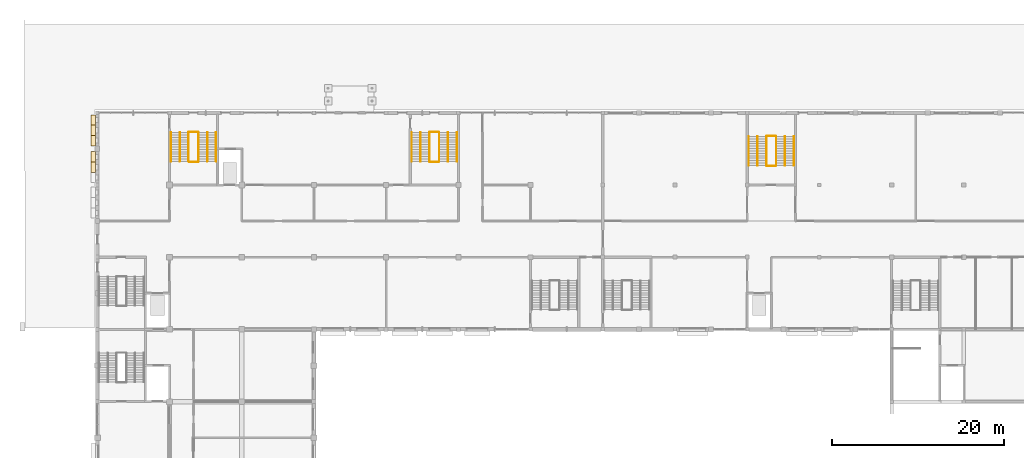
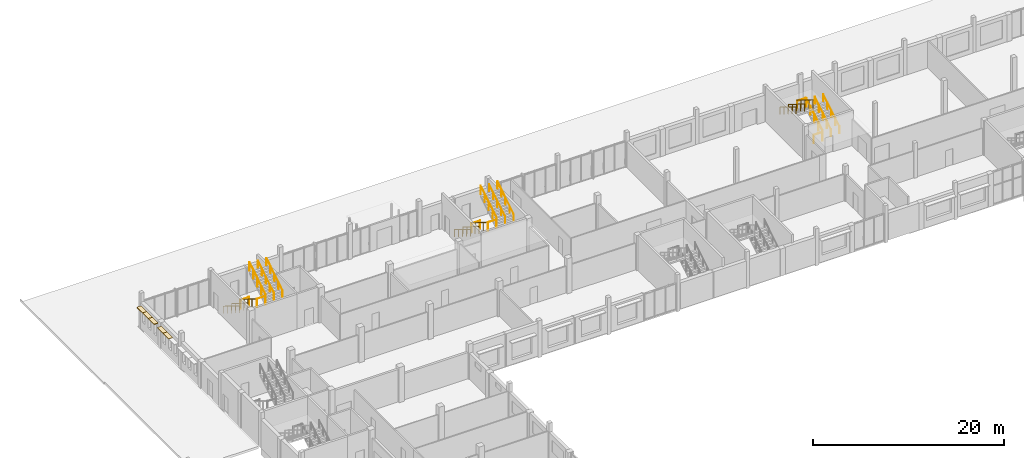
# One storey, part 99 of 101: 24 railings, 5 coverings.
"""IFC4 building model written with IfcOpenShell, lengths in metres."""

from ifc_helpers import new_model, si_unit, direction, frame, origin, origin_2d, place, context, subcontext, project, spatial, rectangle, circle, extrude, material, layer, layer_set, type_object, element, save


model = new_model("IFC4")

# Units and contexts
model_context = context("Model", 3, precision=1e-05, world=origin(), true_north=direction((0.0, 1.0)))
body_context = subcontext(model_context, "Body", "Model", "MODEL_VIEW")
ifc_project = project(units=[si_unit("LENGTHUNIT", "METRE"), si_unit("AREAUNIT", "SQUARE_METRE"), si_unit("VOLUMEUNIT", "CUBIC_METRE"), si_unit("PLANEANGLEUNIT", "RADIAN"), si_unit("MASSUNIT", "GRAM", prefix="KILO")], contexts=[model_context])

# Site, building, storey
site_placement = place(None, origin())
site = spatial("IfcSite", under=ifc_project, at=site_placement, CompositionType="ELEMENT")
building_placement = place(site_placement, origin())
building = spatial("IfcBuilding", under=site, at=building_placement, Name="Fescue Hill Polytechnic", CompositionType="ELEMENT")
storey_placement = place(building_placement, frame((0.0, 0.0, 9.0)))
storey = spatial("IfcBuildingStorey", under=building, at=storey_placement, Name="L02", CompositionType="ELEMENT", Elevation=9.0)

# Coverings
ifc_material_1 = material(Name="Precast concrete C40/50", Category="concrete")
ifc_layer = layer(ifc_material_1, 0.080078125)
ifc_layer_set = layer_set([ifc_layer], Name="Precast concrete C40/50")
covering_type = type_object("IfcCoveringType", Name="Shade blade precast 500x80", PredefinedType="CLADDING", material=ifc_layer_set)
for number, where, z_axis, x_axis, name in (
    (1, (-0.4599609375, 133.556396484375, 2.849853515625), (0.0, 0.0, 1.0), (0.0, -1.0, 0.0), "SB-L02-V5-1"),
    (2, (-0.4599609375, 132.356201171875, 2.849853515625), (0.0, 0.0, 1.0), (0.0, -1.0, 0.0), "SB-L02-V5-2"),
    (3, (-0.4599609375, 131.15625, 2.849853515625), (0.0, 0.0, 1.0), (0.0, -1.0, 0.0), "SB-L02-V5-3"),
    (4, (-0.4599609375, 129.268798828125, 2.849853515625), (0.0, 0.0, 1.0), (0.0, -1.0, 0.0), "SB-L02-V5-4"),
    (5, (-0.4599609375, 128.068603515625, 2.849853515625), (0.0, 0.0, 1.0), (0.0, -1.0, 0.0), "SB-L02-V5-5"),
):
    element("IfcCovering", number, at=place(storey_placement, frame(where, z_axis=z_axis, x_axis=x_axis)), inside=storey, type_object=covering_type, Name=name, PredefinedType="CLADDING", context=body_context, shape_type="SweptSolid", body=[
        extrude(rectangle(XDim=1.199951171875, YDim=0.5, at=origin_2d()), origin(), (0.0, 0.0, 1.0), 0.080078125),
    ])

# Railings
ifc_material_2 = material(Name="Steel 350W (350 MPa)", Category="steel")
railing_type_1 = type_object("IfcRailingType", Name="Stair guard steel 1100", PredefinedType="GUARDRAIL", material=ifc_material_2)
railing_1_placement = place(storey_placement, frame((38.625, 132.10009765625, 0.173095703125)))
element("IfcRailing", 6, at=railing_1_placement, inside=storey, type_object=railing_type_1, Name="L02 ST-V5-2 stair guard 1", PredefinedType="GUARDRAIL", context=body_context, shape_type="SweptSolid", body=[
    extrude(circle(Radius=0.02392578125, at=origin_2d()), frame((0.0, 0.0, 1.076171875), z_axis=(0.0, -0.850623216509, 0.525775754039), x_axis=(1.0, 0.0, 0.0)), (0.0, 0.0, 1.0), 3.9501953125),
    extrude(circle(Radius=0.02099609375, at=origin_2d()), origin(), (0.0, 0.0, 1.0), 1.052001953125),
    extrude(circle(Radius=0.02099609375, at=origin_2d()), frame((0.0, -0.840087890625, 0.519287109375)), (0.0, 0.0, 1.0), 1.052001953125),
    extrude(circle(Radius=0.02099609375, at=origin_2d()), frame((0.0, -1.68017578125, 1.03857421875)), (0.0, 0.0, 1.0), 1.052001953125),
    extrude(circle(Radius=0.02099609375, at=origin_2d()), frame((0.0, -2.52001953125, 1.5576171875)), (0.0, 0.0, 1.0), 1.052001953125),
    extrude(circle(Radius=0.02099609375, at=origin_2d()), frame((0.0, -3.360107421875, 2.076904296875)), (0.0, 0.0, 1.0), 1.052001953125),
])
railing_2_placement = place(storey_placement, frame((38.675048828125, 128.68994140625, 2.25)))
element("IfcRailing", 7, at=railing_2_placement, inside=storey, type_object=railing_type_1, Name="L02 ST-V5-2 stair guard 2", PredefinedType="GUARDRAIL", context=body_context, shape_type="SweptSolid", body=[
    extrude(circle(Radius=0.02392578125, at=origin_2d()), frame((0.0, 0.0, 1.076171875), z_axis=(1.0, 0.0, 0.0), x_axis=(0.0, 1.0, 0.0)), (0.0, 0.0, 1.0), 1.050048828125),
    extrude(circle(Radius=0.02099609375, at=origin_2d()), origin(), (0.0, 0.0, 1.0), 1.052001953125),
    extrude(circle(Radius=0.02099609375, at=origin_2d()), frame((1.050048828125, 0.0, 0.0)), (0.0, 0.0, 1.0), 1.052001953125),
])
railing_3_placement = place(storey_placement, frame((39.77490234375, 128.739990234375, 2.423095703125)))
element("IfcRailing", 8, at=railing_3_placement, inside=storey, type_object=railing_type_1, Name="L02 ST-V5-2 stair guard 3", PredefinedType="GUARDRAIL", context=body_context, shape_type="SweptSolid", body=[
    extrude(circle(Radius=0.02392578125, at=origin_2d()), frame((0.0, 0.0, 1.076171875), z_axis=(0.0, 0.850623216509, 0.525775754039), x_axis=(-1.0, 0.0, 0.0)), (0.0, 0.0, 1.0), 3.9501953125),
    extrude(circle(Radius=0.02099609375, at=origin_2d()), origin(), (0.0, 0.0, 1.0), 1.052001953125),
    extrude(circle(Radius=0.02099609375, at=origin_2d()), frame((0.0, 0.840087890625, 0.519287109375)), (0.0, 0.0, 1.0), 1.052001953125),
    extrude(circle(Radius=0.02099609375, at=origin_2d()), frame((0.0, 1.68017578125, 1.03857421875)), (0.0, 0.0, 1.0), 1.052001953125),
    extrude(circle(Radius=0.02099609375, at=origin_2d()), frame((0.0, 2.52001953125, 1.5576171875)), (0.0, 0.0, 1.0), 1.052001953125),
    extrude(circle(Radius=0.02099609375, at=origin_2d()), frame((0.0, 3.360107421875, 2.076904296875)), (0.0, 0.0, 1.0), 1.052001953125),
])
railing_4_placement = place(storey_placement, frame((38.675048828125, 132.14990234375, 0.0)))
element("IfcRailing", 9, at=railing_4_placement, inside=storey, type_object=railing_type_1, Name="L02 ST-V5-2 stair guard 4", PredefinedType="GUARDRAIL", context=body_context, shape_type="SweptSolid", body=[
    extrude(circle(Radius=0.02392578125, at=origin_2d()), frame((0.0, 0.0, 1.076171875), z_axis=(1.0, 0.0, 0.0), x_axis=(0.0, 1.0, 0.0)), (0.0, 0.0, 1.0), 1.050048828125),
    extrude(circle(Radius=0.02099609375, at=origin_2d()), origin(), (0.0, 0.0, 1.0), 1.052001953125),
    extrude(circle(Radius=0.02099609375, at=origin_2d()), frame((1.050048828125, 0.0, 0.0)), (0.0, 0.0, 1.0), 1.052001953125),
])
railing_5_placement = place(storey_placement, frame((10.625, 132.10009765625, 0.173095703125)))
element("IfcRailing", 10, at=railing_5_placement, inside=storey, type_object=railing_type_1, Name="L02 ST-V5-3 stair guard 1", PredefinedType="GUARDRAIL", context=body_context, shape_type="SweptSolid", body=[
    extrude(circle(Radius=0.02392578125, at=origin_2d()), frame((0.0, 0.0, 1.076171875), z_axis=(0.0, -0.850623216509, 0.525775754039), x_axis=(1.0, 0.0, 0.0)), (0.0, 0.0, 1.0), 3.9501953125),
    extrude(circle(Radius=0.02099609375, at=origin_2d()), origin(), (0.0, 0.0, 1.0), 1.052001953125),
    extrude(circle(Radius=0.02099609375, at=origin_2d()), frame((0.0, -0.840087890625, 0.519287109375)), (0.0, 0.0, 1.0), 1.052001953125),
    extrude(circle(Radius=0.02099609375, at=origin_2d()), frame((0.0, -1.68017578125, 1.03857421875)), (0.0, 0.0, 1.0), 1.052001953125),
    extrude(circle(Radius=0.02099609375, at=origin_2d()), frame((0.0, -2.52001953125, 1.5576171875)), (0.0, 0.0, 1.0), 1.052001953125),
    extrude(circle(Radius=0.02099609375, at=origin_2d()), frame((0.0, -3.360107421875, 2.076904296875)), (0.0, 0.0, 1.0), 1.052001953125),
])
railing_6_placement = place(storey_placement, frame((10.675048828125, 128.68994140625, 2.25)))
element("IfcRailing", 11, at=railing_6_placement, inside=storey, type_object=railing_type_1, Name="L02 ST-V5-3 stair guard 2", PredefinedType="GUARDRAIL", context=body_context, shape_type="SweptSolid", body=[
    extrude(circle(Radius=0.02392578125, at=origin_2d()), frame((0.0, 0.0, 1.076171875), z_axis=(1.0, 0.0, 0.0), x_axis=(0.0, 1.0, 0.0)), (0.0, 0.0, 1.0), 1.050048828125),
    extrude(circle(Radius=0.02099609375, at=origin_2d()), origin(), (0.0, 0.0, 1.0), 1.052001953125),
    extrude(circle(Radius=0.02099609375, at=origin_2d()), frame((1.050048828125, 0.0, 0.0)), (0.0, 0.0, 1.0), 1.052001953125),
])
railing_7_placement = place(storey_placement, frame((11.77490234375, 128.739990234375, 2.423095703125)))
element("IfcRailing", 12, at=railing_7_placement, inside=storey, type_object=railing_type_1, Name="L02 ST-V5-3 stair guard 3", PredefinedType="GUARDRAIL", context=body_context, shape_type="SweptSolid", body=[
    extrude(circle(Radius=0.02392578125, at=origin_2d()), frame((0.0, 0.0, 1.076171875), z_axis=(0.0, 0.850623216509, 0.525775754039), x_axis=(-1.0, 0.0, 0.0)), (0.0, 0.0, 1.0), 3.9501953125),
    extrude(circle(Radius=0.02099609375, at=origin_2d()), origin(), (0.0, 0.0, 1.0), 1.052001953125),
    extrude(circle(Radius=0.02099609375, at=origin_2d()), frame((0.0, 0.840087890625, 0.519287109375)), (0.0, 0.0, 1.0), 1.052001953125),
    extrude(circle(Radius=0.02099609375, at=origin_2d()), frame((0.0, 1.68017578125, 1.03857421875)), (0.0, 0.0, 1.0), 1.052001953125),
    extrude(circle(Radius=0.02099609375, at=origin_2d()), frame((0.0, 2.52001953125, 1.5576171875)), (0.0, 0.0, 1.0), 1.052001953125),
    extrude(circle(Radius=0.02099609375, at=origin_2d()), frame((0.0, 3.360107421875, 2.076904296875)), (0.0, 0.0, 1.0), 1.052001953125),
])
railing_8_placement = place(storey_placement, frame((10.675048828125, 132.14990234375, 0.0)))
element("IfcRailing", 13, at=railing_8_placement, inside=storey, type_object=railing_type_1, Name="L02 ST-V5-3 stair guard 4", PredefinedType="GUARDRAIL", context=body_context, shape_type="SweptSolid", body=[
    extrude(circle(Radius=0.02392578125, at=origin_2d()), frame((0.0, 0.0, 1.076171875), z_axis=(1.0, 0.0, 0.0), x_axis=(0.0, 1.0, 0.0)), (0.0, 0.0, 1.0), 1.050048828125),
    extrude(circle(Radius=0.02099609375, at=origin_2d()), origin(), (0.0, 0.0, 1.0), 1.052001953125),
    extrude(circle(Radius=0.02099609375, at=origin_2d()), frame((1.050048828125, 0.0, 0.0)), (0.0, 0.0, 1.0), 1.052001953125),
])
railing_9_placement = place(storey_placement, frame((78.97509765625, 128.27490234375, 0.173095703125)))
element("IfcRailing", 14, at=railing_9_placement, inside=storey, type_object=railing_type_1, Name="L02 ST-V4b-4 stair guard 1", PredefinedType="GUARDRAIL", context=body_context, shape_type="SweptSolid", body=[
    extrude(circle(Radius=0.02392578125, at=origin_2d()), frame((0.0, 0.0, 1.076171875), z_axis=(0.0, 0.850623216509, 0.525775754039), x_axis=(-1.0, 0.0, 0.0)), (0.0, 0.0, 1.0), 3.9501953125),
    extrude(circle(Radius=0.02099609375, at=origin_2d()), origin(), (0.0, 0.0, 1.0), 1.052001953125),
    extrude(circle(Radius=0.02099609375, at=origin_2d()), frame((0.0, 0.840087890625, 0.519287109375)), (0.0, 0.0, 1.0), 1.052001953125),
    extrude(circle(Radius=0.02099609375, at=origin_2d()), frame((0.0, 1.68017578125, 1.03857421875)), (0.0, 0.0, 1.0), 1.052001953125),
    extrude(circle(Radius=0.02099609375, at=origin_2d()), frame((0.0, 2.52001953125, 1.5576171875)), (0.0, 0.0, 1.0), 1.052001953125),
    extrude(circle(Radius=0.02099609375, at=origin_2d()), frame((0.0, 3.360107421875, 2.076904296875)), (0.0, 0.0, 1.0), 1.052001953125),
])
railing_10_placement = place(storey_placement, frame((78.925048828125, 131.68505859375, 2.25)))
element("IfcRailing", 15, at=railing_10_placement, inside=storey, type_object=railing_type_1, Name="L02 ST-V4b-4 stair guard 2", PredefinedType="GUARDRAIL", context=body_context, shape_type="SweptSolid", body=[
    extrude(circle(Radius=0.02392578125, at=origin_2d()), frame((0.0, 0.0, 1.076171875), z_axis=(-1.0, 0.0, 0.0), x_axis=(0.0, -1.0, 0.0)), (0.0, 0.0, 1.0), 1.050048828125),
    extrude(circle(Radius=0.02099609375, at=origin_2d()), origin(), (0.0, 0.0, 1.0), 1.052001953125),
    extrude(circle(Radius=0.02099609375, at=origin_2d()), frame((-1.050048828125, 0.0, 0.0)), (0.0, 0.0, 1.0), 1.052001953125),
])
railing_11_placement = place(storey_placement, frame((77.824951171875, 131.635009765625, 2.423095703125)))
element("IfcRailing", 16, at=railing_11_placement, inside=storey, type_object=railing_type_1, Name="L02 ST-V4b-4 stair guard 3", PredefinedType="GUARDRAIL", context=body_context, shape_type="SweptSolid", body=[
    extrude(circle(Radius=0.02392578125, at=origin_2d()), frame((0.0, 0.0, 1.076171875), z_axis=(0.0, -0.850623216509, 0.525775754039), x_axis=(1.0, 0.0, 0.0)), (0.0, 0.0, 1.0), 3.9501953125),
    extrude(circle(Radius=0.02099609375, at=origin_2d()), origin(), (0.0, 0.0, 1.0), 1.052001953125),
    extrude(circle(Radius=0.02099609375, at=origin_2d()), frame((0.0, -0.840087890625, 0.519287109375)), (0.0, 0.0, 1.0), 1.052001953125),
    extrude(circle(Radius=0.02099609375, at=origin_2d()), frame((0.0, -1.68017578125, 1.03857421875)), (0.0, 0.0, 1.0), 1.052001953125),
    extrude(circle(Radius=0.02099609375, at=origin_2d()), frame((0.0, -2.52001953125, 1.5576171875)), (0.0, 0.0, 1.0), 1.052001953125),
    extrude(circle(Radius=0.02099609375, at=origin_2d()), frame((0.0, -3.360107421875, 2.076904296875)), (0.0, 0.0, 1.0), 1.052001953125),
])
railing_12_placement = place(storey_placement, frame((78.925048828125, 128.22509765625, 0.0)))
element("IfcRailing", 17, at=railing_12_placement, inside=storey, type_object=railing_type_1, Name="L02 ST-V4b-4 stair guard 4", PredefinedType="GUARDRAIL", context=body_context, shape_type="SweptSolid", body=[
    extrude(circle(Radius=0.02392578125, at=origin_2d()), frame((0.0, 0.0, 1.076171875), z_axis=(-1.0, 0.0, 0.0), x_axis=(0.0, -1.0, 0.0)), (0.0, 0.0, 1.0), 1.050048828125),
    extrude(circle(Radius=0.02099609375, at=origin_2d()), origin(), (0.0, 0.0, 1.0), 1.052001953125),
    extrude(circle(Radius=0.02099609375, at=origin_2d()), frame((-1.050048828125, 0.0, 0.0)), (0.0, 0.0, 1.0), 1.052001953125),
])
railing_type_2 = type_object("IfcRailingType", Name="Stair handrail steel 900", PredefinedType="HANDRAIL", material=ifc_material_2)
railing_13_placement = place(storey_placement, frame((36.574951171875, 132.10009765625, 0.173095703125)))
element("IfcRailing", 18, at=railing_13_placement, inside=storey, type_object=railing_type_2, Name="L02 ST-V5-2 stair handrail 1", PredefinedType="HANDRAIL", context=body_context, shape_type="SweptSolid", body=[
    extrude(circle(Radius=0.02392578125, at=origin_2d()), frame((0.0, 0.0, 0.8759765625), z_axis=(0.0, -0.850623216509, 0.525775754039), x_axis=(1.0, 0.0, 0.0)), (0.0, 0.0, 1.0), 3.9501953125),
    extrude(circle(Radius=0.02099609375, at=origin_2d()), origin(), (0.0, 0.0, 1.0), 0.851806640625),
    extrude(circle(Radius=0.02099609375, at=origin_2d()), frame((0.0, -0.840087890625, 0.519287109375)), (0.0, 0.0, 1.0), 0.851806640625),
    extrude(circle(Radius=0.02099609375, at=origin_2d()), frame((0.0, -1.68017578125, 1.03857421875)), (0.0, 0.0, 1.0), 0.851806640625),
    extrude(circle(Radius=0.02099609375, at=origin_2d()), frame((0.0, -2.52001953125, 1.5576171875)), (0.0, 0.0, 1.0), 0.851806640625),
    extrude(circle(Radius=0.02099609375, at=origin_2d()), frame((0.0, -3.360107421875, 2.076904296875)), (0.0, 0.0, 1.0), 0.851806640625),
])
railing_14_placement = place(storey_placement, frame((41.824951171875, 128.739990234375, 2.423095703125)))
element("IfcRailing", 19, at=railing_14_placement, inside=storey, type_object=railing_type_2, Name="L02 ST-V5-2 stair handrail 2", PredefinedType="HANDRAIL", context=body_context, shape_type="SweptSolid", body=[
    extrude(circle(Radius=0.02392578125, at=origin_2d()), frame((0.0, 0.0, 0.8759765625), z_axis=(0.0, 0.850623216509, 0.525775754039), x_axis=(-1.0, 0.0, 0.0)), (0.0, 0.0, 1.0), 3.9501953125),
    extrude(circle(Radius=0.02099609375, at=origin_2d()), origin(), (0.0, 0.0, 1.0), 0.851806640625),
    extrude(circle(Radius=0.02099609375, at=origin_2d()), frame((0.0, 0.840087890625, 0.519287109375)), (0.0, 0.0, 1.0), 0.851806640625),
    extrude(circle(Radius=0.02099609375, at=origin_2d()), frame((0.0, 1.68017578125, 1.03857421875)), (0.0, 0.0, 1.0), 0.851806640625),
    extrude(circle(Radius=0.02099609375, at=origin_2d()), frame((0.0, 2.52001953125, 1.5576171875)), (0.0, 0.0, 1.0), 0.851806640625),
    extrude(circle(Radius=0.02099609375, at=origin_2d()), frame((0.0, 3.360107421875, 2.076904296875)), (0.0, 0.0, 1.0), 0.851806640625),
])
railing_15_placement = place(storey_placement, frame((37.60009765625, 132.10009765625, 0.173095703125)))
element("IfcRailing", 20, at=railing_15_placement, inside=storey, type_object=railing_type_2, Name="L02 ST-V5-2 stair handrail 3", PredefinedType="HANDRAIL", context=body_context, shape_type="SweptSolid", body=[
    extrude(circle(Radius=0.02392578125, at=origin_2d()), frame((0.0, 0.0, 0.8759765625), z_axis=(0.0, -0.850623216509, 0.525775754039), x_axis=(1.0, 0.0, 0.0)), (0.0, 0.0, 1.0), 3.9501953125),
    extrude(circle(Radius=0.02099609375, at=origin_2d()), origin(), (0.0, 0.0, 1.0), 0.851806640625),
    extrude(circle(Radius=0.02099609375, at=origin_2d()), frame((0.0, -0.840087890625, 0.519287109375)), (0.0, 0.0, 1.0), 0.851806640625),
    extrude(circle(Radius=0.02099609375, at=origin_2d()), frame((0.0, -1.68017578125, 1.03857421875)), (0.0, 0.0, 1.0), 0.851806640625),
    extrude(circle(Radius=0.02099609375, at=origin_2d()), frame((0.0, -2.52001953125, 1.5576171875)), (0.0, 0.0, 1.0), 0.851806640625),
    extrude(circle(Radius=0.02099609375, at=origin_2d()), frame((0.0, -3.360107421875, 2.076904296875)), (0.0, 0.0, 1.0), 0.851806640625),
])
railing_16_placement = place(storey_placement, frame((40.800048828125, 128.739990234375, 2.423095703125)))
element("IfcRailing", 21, at=railing_16_placement, inside=storey, type_object=railing_type_2, Name="L02 ST-V5-2 stair handrail 4", PredefinedType="HANDRAIL", context=body_context, shape_type="SweptSolid", body=[
    extrude(circle(Radius=0.02392578125, at=origin_2d()), frame((0.0, 0.0, 0.8759765625), z_axis=(0.0, 0.850623216509, 0.525775754039), x_axis=(-1.0, 0.0, 0.0)), (0.0, 0.0, 1.0), 3.9501953125),
    extrude(circle(Radius=0.02099609375, at=origin_2d()), origin(), (0.0, 0.0, 1.0), 0.851806640625),
    extrude(circle(Radius=0.02099609375, at=origin_2d()), frame((0.0, 0.840087890625, 0.519287109375)), (0.0, 0.0, 1.0), 0.851806640625),
    extrude(circle(Radius=0.02099609375, at=origin_2d()), frame((0.0, 1.68017578125, 1.03857421875)), (0.0, 0.0, 1.0), 0.851806640625),
    extrude(circle(Radius=0.02099609375, at=origin_2d()), frame((0.0, 2.52001953125, 1.5576171875)), (0.0, 0.0, 1.0), 0.851806640625),
    extrude(circle(Radius=0.02099609375, at=origin_2d()), frame((0.0, 3.360107421875, 2.076904296875)), (0.0, 0.0, 1.0), 0.851806640625),
])
railing_17_placement = place(storey_placement, frame((8.574951171875, 132.10009765625, 0.173095703125)))
element("IfcRailing", 22, at=railing_17_placement, inside=storey, type_object=railing_type_2, Name="L02 ST-V5-3 stair handrail 1", PredefinedType="HANDRAIL", context=body_context, shape_type="SweptSolid", body=[
    extrude(circle(Radius=0.02392578125, at=origin_2d()), frame((0.0, 0.0, 0.8759765625), z_axis=(0.0, -0.850623216509, 0.525775754039), x_axis=(1.0, 0.0, 0.0)), (0.0, 0.0, 1.0), 3.9501953125),
    extrude(circle(Radius=0.02099609375, at=origin_2d()), origin(), (0.0, 0.0, 1.0), 0.851806640625),
    extrude(circle(Radius=0.02099609375, at=origin_2d()), frame((0.0, -0.840087890625, 0.519287109375)), (0.0, 0.0, 1.0), 0.851806640625),
    extrude(circle(Radius=0.02099609375, at=origin_2d()), frame((0.0, -1.68017578125, 1.03857421875)), (0.0, 0.0, 1.0), 0.851806640625),
    extrude(circle(Radius=0.02099609375, at=origin_2d()), frame((0.0, -2.52001953125, 1.5576171875)), (0.0, 0.0, 1.0), 0.851806640625),
    extrude(circle(Radius=0.02099609375, at=origin_2d()), frame((0.0, -3.360107421875, 2.076904296875)), (0.0, 0.0, 1.0), 0.851806640625),
])
railing_18_placement = place(storey_placement, frame((13.824951171875, 128.739990234375, 2.423095703125)))
element("IfcRailing", 23, at=railing_18_placement, inside=storey, type_object=railing_type_2, Name="L02 ST-V5-3 stair handrail 2", PredefinedType="HANDRAIL", context=body_context, shape_type="SweptSolid", body=[
    extrude(circle(Radius=0.02392578125, at=origin_2d()), frame((0.0, 0.0, 0.8759765625), z_axis=(0.0, 0.850623216509, 0.525775754039), x_axis=(-1.0, 0.0, 0.0)), (0.0, 0.0, 1.0), 3.9501953125),
    extrude(circle(Radius=0.02099609375, at=origin_2d()), origin(), (0.0, 0.0, 1.0), 0.851806640625),
    extrude(circle(Radius=0.02099609375, at=origin_2d()), frame((0.0, 0.840087890625, 0.519287109375)), (0.0, 0.0, 1.0), 0.851806640625),
    extrude(circle(Radius=0.02099609375, at=origin_2d()), frame((0.0, 1.68017578125, 1.03857421875)), (0.0, 0.0, 1.0), 0.851806640625),
    extrude(circle(Radius=0.02099609375, at=origin_2d()), frame((0.0, 2.52001953125, 1.5576171875)), (0.0, 0.0, 1.0), 0.851806640625),
    extrude(circle(Radius=0.02099609375, at=origin_2d()), frame((0.0, 3.360107421875, 2.076904296875)), (0.0, 0.0, 1.0), 0.851806640625),
])
railing_19_placement = place(storey_placement, frame((9.60009765625, 132.10009765625, 0.173095703125)))
element("IfcRailing", 24, at=railing_19_placement, inside=storey, type_object=railing_type_2, Name="L02 ST-V5-3 stair handrail 3", PredefinedType="HANDRAIL", context=body_context, shape_type="SweptSolid", body=[
    extrude(circle(Radius=0.02392578125, at=origin_2d()), frame((0.0, 0.0, 0.8759765625), z_axis=(0.0, -0.850623216509, 0.525775754039), x_axis=(1.0, 0.0, 0.0)), (0.0, 0.0, 1.0), 3.9501953125),
    extrude(circle(Radius=0.02099609375, at=origin_2d()), origin(), (0.0, 0.0, 1.0), 0.851806640625),
    extrude(circle(Radius=0.02099609375, at=origin_2d()), frame((0.0, -0.840087890625, 0.519287109375)), (0.0, 0.0, 1.0), 0.851806640625),
    extrude(circle(Radius=0.02099609375, at=origin_2d()), frame((0.0, -1.68017578125, 1.03857421875)), (0.0, 0.0, 1.0), 0.851806640625),
    extrude(circle(Radius=0.02099609375, at=origin_2d()), frame((0.0, -2.52001953125, 1.5576171875)), (0.0, 0.0, 1.0), 0.851806640625),
    extrude(circle(Radius=0.02099609375, at=origin_2d()), frame((0.0, -3.360107421875, 2.076904296875)), (0.0, 0.0, 1.0), 0.851806640625),
])
for number, where, name in (
    (25, (12.800048828125, 128.739990234375, 2.423095703125), "L02 ST-V5-3 stair handrail 4"),
    (26, (81.02490234375, 128.27490234375, 0.173095703125), "L02 ST-V4b-4 stair handrail 1"),
):
    element("IfcRailing", number, at=place(storey_placement, frame(where)), inside=storey, type_object=railing_type_2, Name=name, PredefinedType="HANDRAIL", context=body_context, shape_type="SweptSolid", body=[
        extrude(circle(Radius=0.02392578125, at=origin_2d()), frame((0.0, 0.0, 0.8759765625), z_axis=(0.0, 0.850623216509, 0.525775754039), x_axis=(-1.0, 0.0, 0.0)), (0.0, 0.0, 1.0), 3.9501953125),
        extrude(circle(Radius=0.02099609375, at=origin_2d()), origin(), (0.0, 0.0, 1.0), 0.851806640625),
        extrude(circle(Radius=0.02099609375, at=origin_2d()), frame((0.0, 0.840087890625, 0.519287109375)), (0.0, 0.0, 1.0), 0.851806640625),
        extrude(circle(Radius=0.02099609375, at=origin_2d()), frame((0.0, 1.68017578125, 1.03857421875)), (0.0, 0.0, 1.0), 0.851806640625),
        extrude(circle(Radius=0.02099609375, at=origin_2d()), frame((0.0, 2.52001953125, 1.5576171875)), (0.0, 0.0, 1.0), 0.851806640625),
        extrude(circle(Radius=0.02099609375, at=origin_2d()), frame((0.0, 3.360107421875, 2.076904296875)), (0.0, 0.0, 1.0), 0.851806640625),
    ])
railing_20_placement = place(storey_placement, frame((75.77490234375, 131.635009765625, 2.423095703125)))
element("IfcRailing", 27, at=railing_20_placement, inside=storey, type_object=railing_type_2, Name="L02 ST-V4b-4 stair handrail 2", PredefinedType="HANDRAIL", context=body_context, shape_type="SweptSolid", body=[
    extrude(circle(Radius=0.02392578125, at=origin_2d()), frame((0.0, 0.0, 0.8759765625), z_axis=(0.0, -0.850623216509, 0.525775754039), x_axis=(1.0, 0.0, 0.0)), (0.0, 0.0, 1.0), 3.9501953125),
    extrude(circle(Radius=0.02099609375, at=origin_2d()), origin(), (0.0, 0.0, 1.0), 0.851806640625),
    extrude(circle(Radius=0.02099609375, at=origin_2d()), frame((0.0, -0.840087890625, 0.519287109375)), (0.0, 0.0, 1.0), 0.851806640625),
    extrude(circle(Radius=0.02099609375, at=origin_2d()), frame((0.0, -1.68017578125, 1.03857421875)), (0.0, 0.0, 1.0), 0.851806640625),
    extrude(circle(Radius=0.02099609375, at=origin_2d()), frame((0.0, -2.52001953125, 1.5576171875)), (0.0, 0.0, 1.0), 0.851806640625),
    extrude(circle(Radius=0.02099609375, at=origin_2d()), frame((0.0, -3.360107421875, 2.076904296875)), (0.0, 0.0, 1.0), 0.851806640625),
])
railing_21_placement = place(storey_placement, frame((80.0, 128.27490234375, 0.173095703125)))
element("IfcRailing", 28, at=railing_21_placement, inside=storey, type_object=railing_type_2, Name="L02 ST-V4b-4 stair handrail 3", PredefinedType="HANDRAIL", context=body_context, shape_type="SweptSolid", body=[
    extrude(circle(Radius=0.02392578125, at=origin_2d()), frame((0.0, 0.0, 0.8759765625), z_axis=(0.0, 0.850623216509, 0.525775754039), x_axis=(-1.0, 0.0, 0.0)), (0.0, 0.0, 1.0), 3.9501953125),
    extrude(circle(Radius=0.02099609375, at=origin_2d()), origin(), (0.0, 0.0, 1.0), 0.851806640625),
    extrude(circle(Radius=0.02099609375, at=origin_2d()), frame((0.0, 0.840087890625, 0.519287109375)), (0.0, 0.0, 1.0), 0.851806640625),
    extrude(circle(Radius=0.02099609375, at=origin_2d()), frame((0.0, 1.68017578125, 1.03857421875)), (0.0, 0.0, 1.0), 0.851806640625),
    extrude(circle(Radius=0.02099609375, at=origin_2d()), frame((0.0, 2.52001953125, 1.5576171875)), (0.0, 0.0, 1.0), 0.851806640625),
    extrude(circle(Radius=0.02099609375, at=origin_2d()), frame((0.0, 3.360107421875, 2.076904296875)), (0.0, 0.0, 1.0), 0.851806640625),
])
railing_22_placement = place(storey_placement, frame((76.800048828125, 131.635009765625, 2.423095703125)))
element("IfcRailing", 29, at=railing_22_placement, inside=storey, type_object=railing_type_2, Name="L02 ST-V4b-4 stair handrail 4", PredefinedType="HANDRAIL", context=body_context, shape_type="SweptSolid", body=[
    extrude(circle(Radius=0.02392578125, at=origin_2d()), frame((0.0, 0.0, 0.8759765625), z_axis=(0.0, -0.850623216509, 0.525775754039), x_axis=(1.0, 0.0, 0.0)), (0.0, 0.0, 1.0), 3.9501953125),
    extrude(circle(Radius=0.02099609375, at=origin_2d()), origin(), (0.0, 0.0, 1.0), 0.851806640625),
    extrude(circle(Radius=0.02099609375, at=origin_2d()), frame((0.0, -0.840087890625, 0.519287109375)), (0.0, 0.0, 1.0), 0.851806640625),
    extrude(circle(Radius=0.02099609375, at=origin_2d()), frame((0.0, -1.68017578125, 1.03857421875)), (0.0, 0.0, 1.0), 0.851806640625),
    extrude(circle(Radius=0.02099609375, at=origin_2d()), frame((0.0, -2.52001953125, 1.5576171875)), (0.0, 0.0, 1.0), 0.851806640625),
    extrude(circle(Radius=0.02099609375, at=origin_2d()), frame((0.0, -3.360107421875, 2.076904296875)), (0.0, 0.0, 1.0), 0.851806640625),
])

save(model, "model.ifc")
